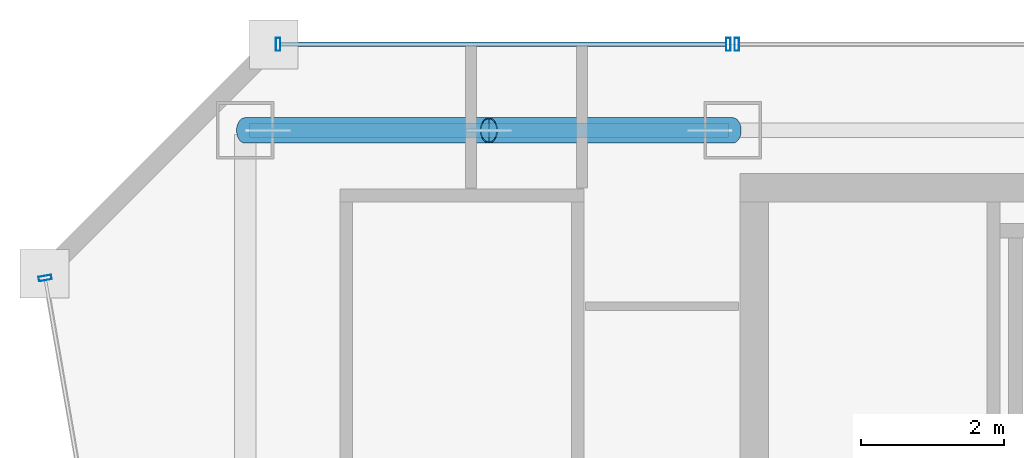
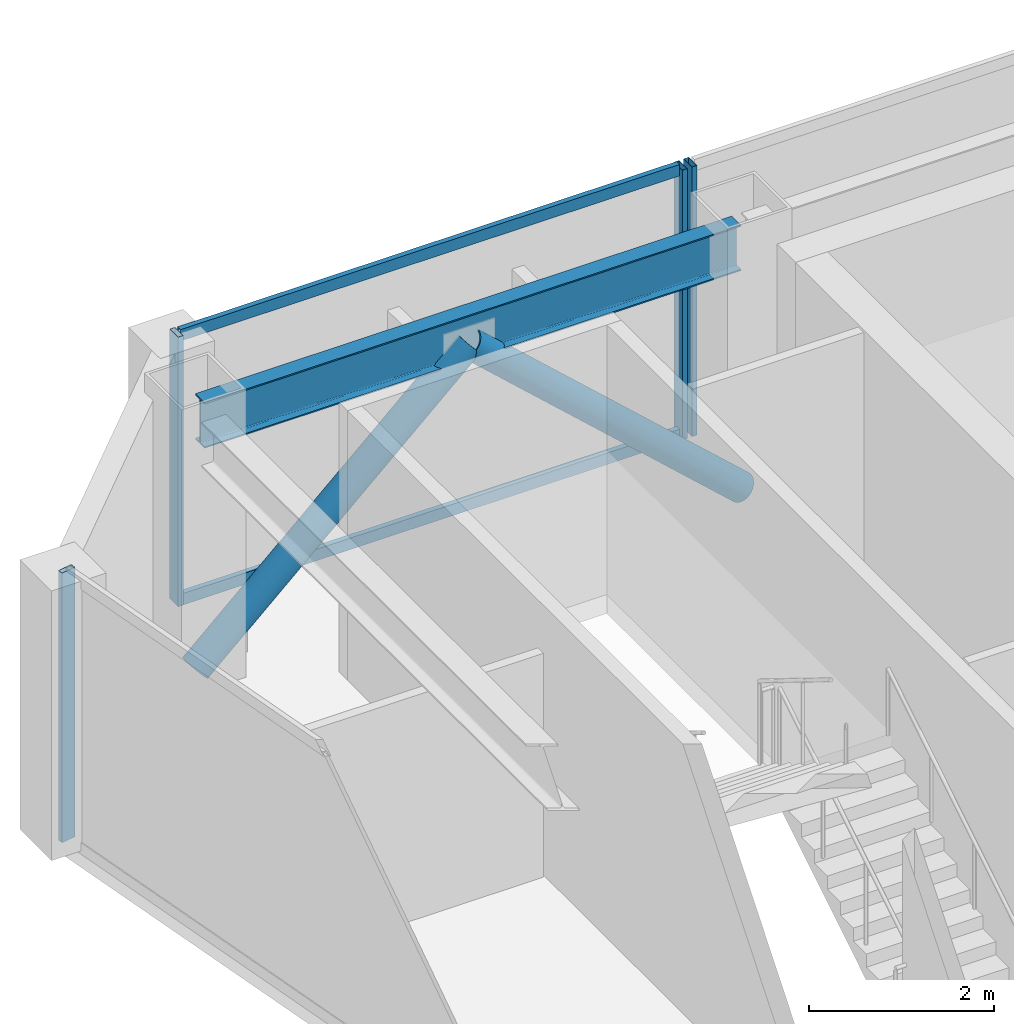
# One storey, part 19 of 33: 8 members, 1 beam, 3 elements without a shape of their own.
"""IFC4 building model written with IfcOpenShell, lengths in metres."""

import ifcopenshell
import ifcopenshell.guid

model = None  # the IFC model being written
_history = None  # IfcOwnerHistory: only IFC2X3 demands one
_inside = {}  # id of a spatial element -> (the spatial element, [elements in it])
_under = {}  # id of a project, library or spatial element -> (it, [spatial elements below it])
_declared = {}  # id of a project -> (the project, [libraries it declares])
_typed = {}  # id of a type object -> (the type object, [elements of that type])
_made_of = {}  # id of a material, layer set ... -> (it, [elements and type objects made of it])


def new_model(schema):
    """Start an empty IFC model of exactly this schema.

    Asked for "IFC4X3", IfcOpenShell would pick the latest addendum, in which some entities
    have other attributes; the version numbers below select the first issue.
    IFC2X3 requires an IfcOwnerHistory on every rooted entity: one is made here for all.
    """
    global model, _history
    if schema == "IFC4X3":
        model = ifcopenshell.file(schema_version=(4, 3, 0, 0))
    else:
        model = ifcopenshell.file(schema=schema)
    _inside.clear()
    _under.clear()
    _declared.clear()
    _typed.clear()
    _made_of.clear()
    _history = None
    if model.schema == "IFC2X3":
        org = make("IfcOrganization", Name="unknown")
        user = make(
            "IfcPersonAndOrganization",
            ThePerson=make("IfcPerson", FamilyName="unknown"),
            TheOrganization=org,
        )
        app = make(
            "IfcApplication",
            ApplicationDeveloper=org,
            Version="unknown",
            ApplicationFullName="unknown",
            ApplicationIdentifier="unknown",
        )
        _history = make(
            "IfcOwnerHistory",
            OwningUser=user,
            OwningApplication=app,
            ChangeAction="ADDED",
            CreationDate=0,
        )
    return model


def make(cls, **values):
    """One entity of the class cls with the attributes given. An attribute that is None is left unset."""
    return model.create_entity(
        cls, **{name: value for name, value in values.items() if value is not None}
    )


def rooted(cls, **values):
    """An entity with a GlobalId (a new one), such as an element, a storey or a relation."""
    return make(cls, GlobalId=ifcopenshell.guid.new(), OwnerHistory=_history, **values)


def si_unit(unit_type, name, prefix=None):
    """IfcSIUnit, for example si_unit("LENGTHUNIT", "METRE", prefix="MILLI")."""
    return make("IfcSIUnit", UnitType=unit_type, Prefix=prefix, Name=name)


def assignment(units):
    """IfcUnitAssignment: the units of a project."""
    return None if units is None else make("IfcUnitAssignment", Units=units)


def point(xyz):
    """IfcCartesianPoint."""
    return None if xyz is None else make("IfcCartesianPoint", Coordinates=xyz)


def direction(xyz):
    """IfcDirection."""
    return None if xyz is None else make("IfcDirection", DirectionRatios=xyz)


def frame(location, z_axis=None, x_axis=None):
    """IfcAxis2Placement3D, a coordinate frame: its origin and axes. An axis left out is left unset."""
    return make(
        "IfcAxis2Placement3D",
        Location=point(location),
        Axis=direction(z_axis),
        RefDirection=direction(x_axis),
    )


def frame_2d(location, x_axis=None):
    """IfcAxis2Placement2D, a coordinate frame in the plane: its origin and x axis."""
    return make(
        "IfcAxis2Placement2D", Location=point(location), RefDirection=direction(x_axis)
    )


def origin():
    """The frame at (0, 0, 0) with its axes left unset."""
    return frame((0.0, 0.0, 0.0))


def origin_2d():
    """The frame at (0, 0) in the plane with its x axis left unset."""
    return frame_2d((0.0, 0.0))


def place(relative_to, where):
    """IfcLocalPlacement: puts the frame where relative to a parent placement (None: the world)."""
    return make(
        "IfcLocalPlacement", PlacementRelTo=relative_to, RelativePlacement=where
    )


def context(
    kind, dimensions, precision=None, world=None, true_north=None, identifier=None
):
    """IfcGeometricRepresentationContext, for example the 3D "Model" context."""
    return make(
        "IfcGeometricRepresentationContext",
        ContextIdentifier=identifier,
        ContextType=kind,
        CoordinateSpaceDimension=dimensions,
        Precision=precision,
        WorldCoordinateSystem=world,
        TrueNorth=true_north,
    )


def subcontext(parent, identifier, kind, view, scale=None):
    """IfcGeometricRepresentationSubContext, for example "Body" below "Model"."""
    return make(
        "IfcGeometricRepresentationSubContext",
        ContextIdentifier=identifier,
        ContextType=kind,
        ParentContext=parent,
        TargetScale=scale,
        TargetView=view,
    )


def project(units=None, contexts=None):
    """IfcProject with its units and contexts."""
    return rooted(
        "IfcProject",
        Name="project",
        RepresentationContexts=contexts,
        UnitsInContext=assignment(units),
    )


def spatial(cls, under=None, at=None, **own):
    """A site, building, storey or space (cls), placed at a placement, below another one or the project."""
    s = rooted(cls, ObjectPlacement=at, **own)
    if under is not None:
        _under.setdefault(under.id(), (under, []))[1].append(s)
    return s


def profile(cls, at=None, kind="AREA", **sizes):
    """A parametric profile (cls). Its sizes go by their IFC names, for example OverallWidth=200.0."""
    return make(cls, ProfileType=kind, Position=at, **sizes)


def hollow_rectangle(**sizes):
    """IfcRectangleHollowProfileDef."""
    return profile("IfcRectangleHollowProfileDef", **sizes)


def hollow_circle(**sizes):
    """IfcCircleHollowProfileDef."""
    return profile("IfcCircleHollowProfileDef", **sizes)


def i_section(**sizes):
    """IfcIShapeProfileDef."""
    return profile("IfcIShapeProfileDef", **sizes)


def extrude(swept, where, along, depth):
    """IfcExtrudedAreaSolid: the profile swept, set in the frame where, extruded along a direction by depth."""
    return make(
        "IfcExtrudedAreaSolid",
        SweptArea=swept,
        Position=where,
        ExtrudedDirection=direction(along),
        Depth=depth,
    )


def shape(context_of_items, identifier, shape_type, items):
    """IfcShapeRepresentation: the items that make up one representation, for example the "Body"."""
    return make(
        "IfcShapeRepresentation",
        ContextOfItems=context_of_items,
        RepresentationIdentifier=identifier,
        RepresentationType=shape_type,
        Items=items,
    )


def material(Name=None, Category=None):
    """IfcMaterial."""
    return make("IfcMaterial", Name=Name, Category=Category)


def material_profile(
    of_material, cross_section, Name=None, Category=None, Priority=None
):
    """IfcMaterialProfile: a cross section and its material."""
    return make(
        "IfcMaterialProfile",
        Name=Name,
        Material=of_material,
        Profile=cross_section,
        Priority=Priority,
        Category=Category,
    )


def profile_set(profiles, Name=None, composite=None):
    """IfcMaterialProfileSet."""
    return make(
        "IfcMaterialProfileSet",
        Name=Name,
        MaterialProfiles=profiles,
        CompositeProfile=composite,
    )


def made_of(thing, what):
    """Note that an element or type object is made of a material, layer set ...; save() writes the relation."""
    if what is not None:
        _made_of.setdefault(what.id(), (what, []))[1].append(thing)
    return thing


def type_object(cls, material=None, **own):
    """A type object (cls), such as IfcWallType, which elements share."""
    return made_of(rooted(cls, **own), material)


def element(
    cls,
    number,
    at=None,
    inside=None,
    cuts=None,
    type_object=None,
    material=None,
    context=None,
    identifier="Body",
    shape_type=None,
    held_by="IfcProductDefinitionShape",
    body=None,
    shapes=None,
    **own,
):
    """One element of the class cls, such as IfcWall. Its Tag is "e" and its number.

    at: its placement. inside: the storey or other place that contains it. cuts: it is an
    opening in that element (IfcRelVoidsElement). A single representation is given by context,
    identifier, shape_type and body (its items); several are given by shapes. held_by: the class
    of the entity that holds the representations. save() writes the other relations.
    """
    e = rooted(cls, Tag="e%d" % number, ObjectPlacement=at, **own)
    if body is not None:
        shapes = [shape(context, identifier, shape_type, body)]
    if shapes is not None:
        e.Representation = make(held_by, Representations=shapes)
    if inside is not None:
        _inside.setdefault(inside.id(), (inside, []))[1].append(e)
    if cuts is not None:
        rooted(
            "IfcRelVoidsElement", RelatingBuildingElement=cuts, RelatedOpeningElement=e
        )
    if type_object is not None:
        _typed.setdefault(type_object.id(), (type_object, []))[1].append(e)
    return made_of(e, material)


def aggregate(whole, parts):
    """IfcRelAggregates: a whole, such as a stair, and the parts it consists of."""
    return rooted("IfcRelAggregates", RelatingObject=whole, RelatedObjects=parts)


def save(model, path):
    """Write the relations noted so far, then the file.

    IfcRelAggregates (storeys below a building ...), IfcRelContainedInSpatialStructure (elements
    in a storey), IfcRelDefinesByType, IfcRelAssociatesMaterial and IfcRelDeclares: one each for
    every whole, place, type object, material and project.
    """
    for whole, parts in _under.values():
        aggregate(whole, parts)
    for where, things in _inside.values():
        rooted(
            "IfcRelContainedInSpatialStructure",
            RelatedElements=things,
            RelatingStructure=where,
        )
    for kind, things in _typed.values():
        rooted("IfcRelDefinesByType", RelatedObjects=things, RelatingType=kind)
    for what, things in _made_of.values():
        rooted("IfcRelAssociatesMaterial", RelatedObjects=things, RelatingMaterial=what)
    for by, libraries in _declared.values():
        rooted("IfcRelDeclares", RelatingContext=by, RelatedDefinitions=libraries)
    model.write(path)


model = new_model("IFC4")

# Units and contexts
model_context = context("Model", 3, precision=1e-05, world=origin(), true_north=direction((0.0, 1.0)))
body_context = subcontext(model_context, "Body", "Model", "MODEL_VIEW")
ifc_project = project(units=[si_unit("LENGTHUNIT", "METRE"), si_unit("AREAUNIT", "SQUARE_METRE"), si_unit("VOLUMEUNIT", "CUBIC_METRE"), si_unit("PLANEANGLEUNIT", "RADIAN"), si_unit("MASSUNIT", "GRAM", prefix="KILO")], contexts=[model_context])

# Site, building, storey
site_placement = place(None, origin())
site = spatial("IfcSite", under=ifc_project, at=site_placement, CompositionType="ELEMENT")
building_placement = place(site_placement, origin())
building = spatial("IfcBuilding", under=site, at=building_placement, Name="Saevonmaru Cultural Tower", CompositionType="ELEMENT")
storey_placement = place(building_placement, frame((0.0, 0.0, 234.39990234375)))
storey = spatial("IfcBuildingStorey", under=building, at=storey_placement, Name="L54", CompositionType="ELEMENT", Elevation=234.39990234375)

# Beam
ifc_material_1 = material(Name="Steel SM355", Category="steel")
ifc_material_profile_1 = material_profile(ifc_material_1, i_section(OverallWidth=0.199951171875, OverallDepth=0.60009765625, WebThickness=0.010986328125, FlangeThickness=0.01708984375, FilletRadius=0.02197265625, at=origin_2d()), Name="H-600x200x11x17")
ifc_profile_set_1 = profile_set([ifc_material_profile_1], Name="Steel SM355")
beam_type = type_object("IfcBeamType", Name="BM-SP-H600", PredefinedType="SPANDREL", material=ifc_profile_set_1)
beam_placement = place(storey_placement, frame((6.860107421875, 54.800048828125, 3.25), z_axis=(1.0, 0.0, 0.0), x_axis=(0.0, 1.0, 0.0)))
element("IfcBeam", 1, at=beam_placement, inside=storey, type_object=beam_type, Name="L54 North Spine Girder 1", PredefinedType="SPANDREL", context=body_context, shape_type="SweptSolid", body=[
    extrude(i_section(OverallWidth=0.199951171875, OverallDepth=0.60009765625, WebThickness=0.010986328125, FlangeThickness=0.01708984375, FilletRadius=0.02197265625, at=origin_2d()), origin(), (0.0, 0.0, 1.0), 6.679931640625),
])

# Members
ifc_material_profile_2 = material_profile(ifc_material_1, hollow_circle(Radius=0.177734375, WallThickness=0.01611328125, at=origin_2d()), Name="CHS-355.6x16")
ifc_profile_set_2 = profile_set([ifc_material_profile_2], Name="Steel SM355")
member_type_1 = type_object("IfcMemberType", Name="MB-PBR-CHS356", PredefinedType="BRACE", material=ifc_profile_set_2)
member_1_placement = place(storey_placement, frame((6.800048828125, 54.800048828125, 0.02001953125), z_axis=(0.738935641579, 0.0, 0.673776014417), x_axis=(0.0, 1.0, 0.0)))
element("IfcMember", 2, at=member_1_placement, inside=storey, type_object=member_type_1, Name="L54 Perimeter Braced-Tube Diagonal WN1", PredefinedType="BRACE", context=body_context, shape_type="SweptSolid", body=[
    extrude(hollow_circle(Radius=0.177734375, WallThickness=0.01611328125, at=origin_2d()), origin(), (0.0, 0.0, 1.0), 4.60107421875),
])
member_2_placement = place(storey_placement, frame((13.60009765625, 54.800048828125, 0.02001953125), z_axis=(-0.738959728749, 0.0, 0.673749596873), x_axis=(0.0, -1.0, 0.0)))
element("IfcMember", 3, at=member_2_placement, inside=storey, type_object=member_type_1, Name="L54 Perimeter Braced-Tube Diagonal WN2", PredefinedType="BRACE", context=body_context, shape_type="SweptSolid", body=[
    extrude(hollow_circle(Radius=0.177734375, WallThickness=0.01611328125, at=origin_2d()), origin(), (0.0, 0.0, 1.0), 4.601318359375),
])

# Curtain wall, member
ifc_material_2 = material(Name="Satin Bronze Anodised Aluminium", Category="aluminium")
curtain_wall_type = type_object("IfcCurtainWallType", Name="CW-TYP-B", PredefinedType="NOTDEFINED", material=ifc_material_2)
curtain_wall_1_placement = place(storey_placement, origin())
curtain_wall_1 = element("IfcCurtainWall", 4, at=curtain_wall_1_placement, inside=storey, type_object=curtain_wall_type, Name="L54 North Spine Unitised Curtain Wall E10B", PredefinedType="NOTDEFINED")
ifc_material_profile_3 = material_profile(ifc_material_2, hollow_rectangle(XDim=0.06494140625, YDim=0.179931640625, WallThickness=0.00390625, at=origin_2d()), Name="ALU-MULL-180x65x4")
ifc_profile_set_3 = profile_set([ifc_material_profile_3], Name="Satin Bronze Anodised Aluminium")
member_type_2 = type_object("IfcMemberType", Name="ML-CW-180x65", PredefinedType="MULLION", material=ifc_profile_set_3)
member_3_placement = place(storey_placement, frame((13.659912109375, 56.0, 0.0), z_axis=(0.0, 0.0, 1.0), x_axis=(-1.0, 0.0, 0.0)))
member_3 = element("IfcMember", 5, at=member_3_placement, type_object=member_type_2, Name="CW-TW-L54-E10B mullion 4", PredefinedType="MULLION", context=body_context, shape_type="SweptSolid", body=[
    extrude(hollow_rectangle(XDim=0.06494140625, YDim=0.179931640625, WallThickness=0.00390625, at=origin_2d()), origin(), (0.0, 0.0, 1.0), 3.550048828125),
])
aggregate(curtain_wall_1, [member_3])

# Curtain wall, members
curtain_wall_2_placement = place(storey_placement, origin())
curtain_wall_2 = element("IfcCurtainWall", 6, at=curtain_wall_2_placement, inside=storey, type_object=curtain_wall_type, Name="L54 West Braced Bay Spandrel Curtain Wall E10C", PredefinedType="NOTDEFINED")
member_4_placement = place(storey_placement, frame((13.5400390625, 56.0, 0.0), z_axis=(0.0, 0.0, 1.0), x_axis=(-1.0, 0.0, 0.0)))
member_4 = element("IfcMember", 7, at=member_4_placement, type_object=member_type_2, Name="CW-TW-L54-E10C mullion 1", PredefinedType="MULLION", context=body_context, shape_type="SweptSolid", body=[
    extrude(hollow_rectangle(XDim=0.06494140625, YDim=0.179931640625, WallThickness=0.00390625, at=origin_2d()), origin(), (0.0, 0.0, 1.0), 3.550048828125),
])
member_5_placement = place(storey_placement, frame((7.260009765625, 56.0, 0.0), z_axis=(0.0, 0.0, 1.0), x_axis=(-1.0, 0.0, 0.0)))
member_5 = element("IfcMember", 8, at=member_5_placement, type_object=member_type_2, Name="CW-TW-L54-E10C mullion 2", PredefinedType="MULLION", context=body_context, shape_type="SweptSolid", body=[
    extrude(hollow_rectangle(XDim=0.06494140625, YDim=0.179931640625, WallThickness=0.00390625, at=origin_2d()), origin(), (0.0, 0.0, 1.0), 3.550048828125),
])

# Curtain wall, member
curtain_wall_3_placement = place(storey_placement, origin())
curtain_wall_3 = element("IfcCurtainWall", 9, at=curtain_wall_3_placement, inside=storey, type_object=curtain_wall_type, Name="L54 Unitised Curtain Wall E12", PredefinedType="NOTDEFINED")
member_6_placement = place(storey_placement, frame((4.01025390625, 52.740966796875, 0.0), z_axis=(0.0, 0.0, 1.0), x_axis=(0.170790369887, -0.985307388359, 0.0)))
member_6 = element("IfcMember", 10, at=member_6_placement, type_object=member_type_2, Name="CW-TW-L54-E12 mullion 1", PredefinedType="MULLION", context=body_context, shape_type="SweptSolid", body=[
    extrude(hollow_rectangle(XDim=0.06494140625, YDim=0.179931640625, WallThickness=0.00390625, at=origin_2d()), origin(), (0.0, 0.0, 1.0), 3.550048828125),
])
aggregate(curtain_wall_3, [member_6])

# Member
ifc_material_profile_4 = material_profile(ifc_material_2, hollow_rectangle(XDim=0.06494140625, YDim=0.14990234375, WallThickness=0.00390625, at=origin_2d()), Name="ALU-TRAN-150x65x4")
ifc_profile_set_4 = profile_set([ifc_material_profile_4], Name="Satin Bronze Anodised Aluminium")
member_type_3 = type_object("IfcMemberType", Name="TR-CW-150x65", PredefinedType="USERDEFINED", material=ifc_profile_set_4)
member_7_placement = place(storey_placement, frame((13.507568359375, 56.0, 0.03271484375), z_axis=(-1.0, 0.0, 0.0), x_axis=(0.0, -1.0, 0.0)))
member_7 = element("IfcMember", 11, at=member_7_placement, type_object=member_type_3, Name="CW-TW-L54-E10C transom 1.1", ObjectType="TRANSOM", PredefinedType="USERDEFINED", context=body_context, shape_type="SweptSolid", body=[
    extrude(hollow_rectangle(XDim=0.06494140625, YDim=0.14990234375, WallThickness=0.00390625, at=origin_2d()), origin(), (0.0, 0.0, 1.0), 6.215087890625),
])

member_8_placement = place(storey_placement, frame((13.507568359375, 56.0, 3.517578125), z_axis=(-1.0, 0.0, 0.0), x_axis=(0.0, -1.0, 0.0)))
member_8 = element("IfcMember", 12, at=member_8_placement, type_object=member_type_3, Name="CW-TW-L54-E10C transom 1.2", ObjectType="TRANSOM", PredefinedType="USERDEFINED", context=body_context, shape_type="SweptSolid", body=[
    extrude(hollow_rectangle(XDim=0.06494140625, YDim=0.14990234375, WallThickness=0.00390625, at=origin_2d()), origin(), (0.0, 0.0, 1.0), 6.215087890625),
])

aggregate(curtain_wall_2, [member_4, member_5, member_7, member_8])

save(model, "model.ifc")
